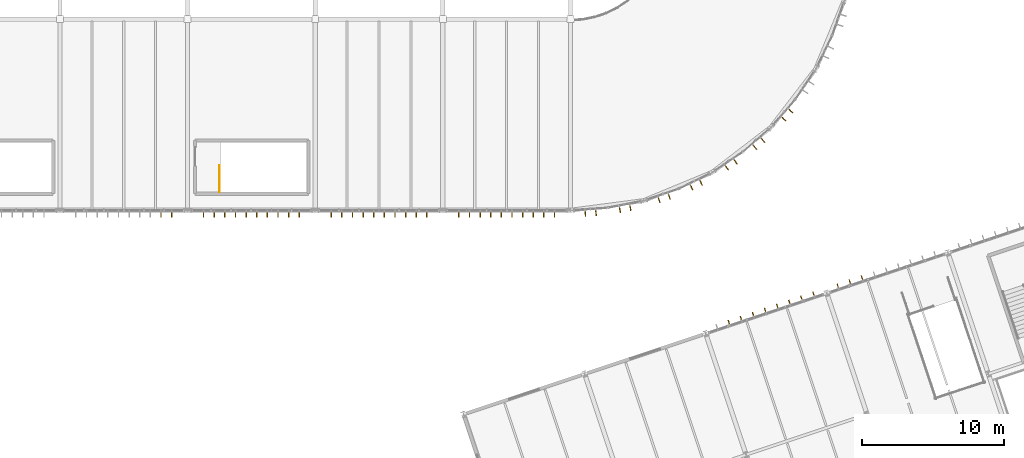
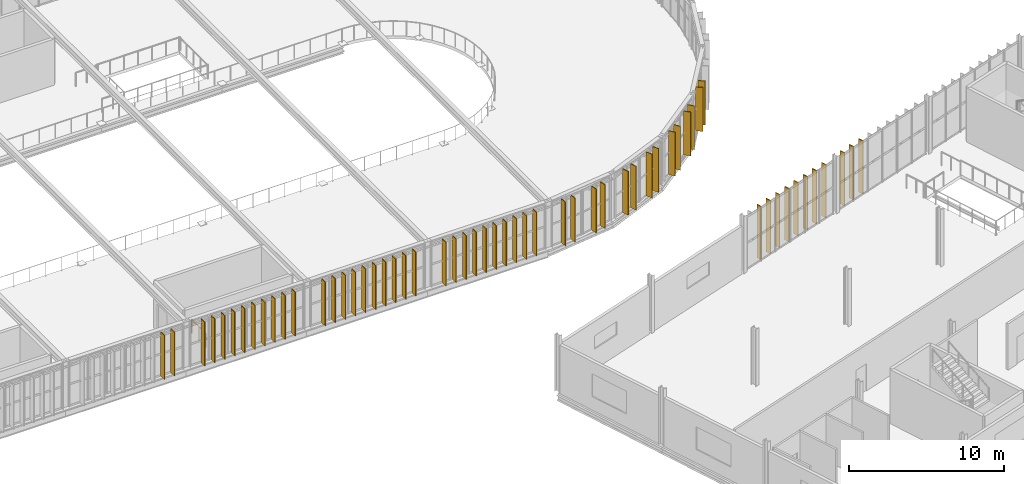
# One storey, part 144 of 152: 46 coverings, 11 shading devices, 1 railing.
"""IFC4 building model written with IfcOpenShell, lengths in metres."""

from ifc_helpers import new_model, si_unit, derived_unit, direction, frame, origin, origin_2d, place, context, subcontext, project, spatial, rectangle, circle, extrude, material, layer, layer_set, type_object, element, save


model = new_model("IFC4")

# Units and contexts
model_context = context("Model", 3, precision=1e-05, world=origin(), true_north=direction((0.0, 1.0)))
body_context = subcontext(model_context, "Body", "Model", "MODEL_VIEW")
ifc_project = project(units=[si_unit("LENGTHUNIT", "METRE"), si_unit("AREAUNIT", "SQUARE_METRE"), si_unit("VOLUMEUNIT", "CUBIC_METRE"), si_unit("PLANEANGLEUNIT", "RADIAN"), si_unit("MASSUNIT", "GRAM", prefix="KILO"), si_unit("THERMODYNAMICTEMPERATUREUNIT", "KELVIN"), si_unit("TIMEUNIT", "SECOND"), derived_unit("THERMALTRANSMITTANCEUNIT", [(si_unit("MASSUNIT", "GRAM", prefix="KILO"), 1), (si_unit("THERMODYNAMICTEMPERATUREUNIT", "KELVIN"), -1), (si_unit("TIMEUNIT", "SECOND"), -3)])], contexts=[model_context])

# Site, building, storey
site_placement = place(None, origin())
site = spatial("IfcSite", under=ifc_project, at=site_placement, CompositionType="ELEMENT")
building_placement = place(site_placement, origin())
building = spatial("IfcBuilding", under=site, at=building_placement, Name="Cambertide Market Hall", CompositionType="ELEMENT")
storey_placement = place(building_placement, frame((0.0, 0.0, 5.39990234375)))
storey = spatial("IfcBuildingStorey", under=building, at=storey_placement, Name="L02", CompositionType="ELEMENT", Elevation=5.39990234375)

# Railing
ifc_material_1 = material(Name="Stainless Steel Grade 316", Category="metal")
railing_type = type_object("IfcRailingType", Name="Stairwell Inner Guardrail 1100", PredefinedType="GUARDRAIL", material=ifc_material_1)
railing_placement = place(storey_placement, frame((80.25, 53.300048828125, 0.0)))
element("IfcRailing", 1, at=railing_placement, inside=storey, type_object=railing_type, Name="Level 2 ST-02B top well guard 1", PredefinedType="GUARDRAIL", context=body_context, shape_type="SweptSolid", body=[
    extrude(circle(Radius=0.02392578125, at=origin_2d()), frame((0.0, 0.0, 1.076171875), z_axis=(0.0, 1.0, 0.0), x_axis=(-1.0, 0.0, 0.0)), (0.0, 0.0, 1.0), 1.849853515625),
    extrude(circle(Radius=0.02099609375, at=origin_2d()), origin(), (0.0, 0.0, 1.0), 1.052001953125),
    extrude(circle(Radius=0.02099609375, at=origin_2d()), frame((0.0, 0.9248046875, 0.0)), (0.0, 0.0, 1.0), 1.052001953125),
    extrude(circle(Radius=0.02099609375, at=origin_2d()), frame((0.0, 1.849853515625, 0.0)), (0.0, 0.0, 1.0), 1.052001953125),
])

# Coverings
ifc_material_2 = material(Name="White Marine Anodized Aluminium 6063-T6 AA25", Category="aluminium")
ifc_layer_1 = layer(ifc_material_2, 0.06005859375, Name="White Anodized Lantern Vertical Fin 480x60")
ifc_layer_set_1 = layer_set([ifc_layer_1], Name="White Marine Anodized Aluminium 6063-T6 AA25")
covering_type = type_object("IfcCoveringType", Name="White Anodized Lantern Vertical Fin 480x60", PredefinedType="CLADDING", material=ifc_layer_set_1)
for number, where, z_axis, x_axis, name in (
    (2, (76.875, 51.739990234375, 0.0), (0.0, 0.0, 1.0), (-1.0, 0.0, 0.0), "CW-V1S-L02-4 Vertical Fin 1"),
    (3, (76.125, 51.739990234375, 0.0), (0.0, 0.0, 1.0), (-1.0, 0.0, 0.0), "CW-V1S-L02-4 Vertical Fin 2"),
    (4, (85.875, 51.739990234375, 0.0), (0.0, 0.0, 1.0), (-1.0, 0.0, 0.0), "CW-V1S-L02-5 Vertical Fin 1"),
    (5, (85.125, 51.739990234375, 0.0), (0.0, 0.0, 1.0), (-1.0, 0.0, 0.0), "CW-V1S-L02-5 Vertical Fin 2"),
    (6, (84.375, 51.739990234375, 0.0), (0.0, 0.0, 1.0), (-1.0, 0.0, 0.0), "CW-V1S-L02-5 Vertical Fin 3"),
    (7, (83.625, 51.739990234375, 0.0), (0.0, 0.0, 1.0), (-1.0, 0.0, 0.0), "CW-V1S-L02-5 Vertical Fin 4"),
    (8, (82.875, 51.739990234375, 0.0), (0.0, 0.0, 1.0), (-1.0, 0.0, 0.0), "CW-V1S-L02-5 Vertical Fin 5"),
    (9, (82.125, 51.739990234375, 0.0), (0.0, 0.0, 1.0), (-1.0, 0.0, 0.0), "CW-V1S-L02-5 Vertical Fin 6"),
    (10, (81.375, 51.739990234375, 0.0), (0.0, 0.0, 1.0), (-1.0, 0.0, 0.0), "CW-V1S-L02-5 Vertical Fin 7"),
    (11, (80.625, 51.739990234375, 0.0), (0.0, 0.0, 1.0), (-1.0, 0.0, 0.0), "CW-V1S-L02-5 Vertical Fin 8"),
    (12, (79.875, 51.739990234375, 0.0), (0.0, 0.0, 1.0), (-1.0, 0.0, 0.0), "CW-V1S-L02-5 Vertical Fin 9"),
    (13, (79.125, 51.739990234375, 0.0), (0.0, 0.0, 1.0), (-1.0, 0.0, 0.0), "CW-V1S-L02-5 Vertical Fin 10"),
    (14, (94.875, 51.739990234375, 0.0), (0.0, 0.0, 1.0), (-1.0, 0.0, 0.0), "CW-V1S-L02-6 Vertical Fin 1"),
    (15, (94.125, 51.739990234375, 0.0), (0.0, 0.0, 1.0), (-1.0, 0.0, 0.0), "CW-V1S-L02-6 Vertical Fin 2"),
    (16, (93.375, 51.739990234375, 0.0), (0.0, 0.0, 1.0), (-1.0, 0.0, 0.0), "CW-V1S-L02-6 Vertical Fin 3"),
    (17, (92.625, 51.739990234375, 0.0), (0.0, 0.0, 1.0), (-1.0, 0.0, 0.0), "CW-V1S-L02-6 Vertical Fin 4"),
    (18, (91.875, 51.739990234375, 0.0), (0.0, 0.0, 1.0), (-1.0, 0.0, 0.0), "CW-V1S-L02-6 Vertical Fin 5"),
    (19, (91.125, 51.739990234375, 0.0), (0.0, 0.0, 1.0), (-1.0, 0.0, 0.0), "CW-V1S-L02-6 Vertical Fin 6"),
    (20, (90.375, 51.739990234375, 0.0), (0.0, 0.0, 1.0), (-1.0, 0.0, 0.0), "CW-V1S-L02-6 Vertical Fin 7"),
    (21, (89.625, 51.739990234375, 0.0), (0.0, 0.0, 1.0), (-1.0, 0.0, 0.0), "CW-V1S-L02-6 Vertical Fin 8"),
    (22, (88.875, 51.739990234375, 0.0), (0.0, 0.0, 1.0), (-1.0, 0.0, 0.0), "CW-V1S-L02-6 Vertical Fin 9"),
    (23, (88.125, 51.739990234375, 0.0), (0.0, 0.0, 1.0), (-1.0, 0.0, 0.0), "CW-V1S-L02-6 Vertical Fin 10"),
    (24, (103.875, 51.739990234375, 0.0), (0.0, 0.0, 1.0), (-1.0, 0.0, 0.0), "CW-V1S-L02-7 Vertical Fin 1"),
    (25, (103.125, 51.739990234375, 0.0), (0.0, 0.0, 1.0), (-1.0, 0.0, 0.0), "CW-V1S-L02-7 Vertical Fin 2"),
    (26, (102.375, 51.739990234375, 0.0), (0.0, 0.0, 1.0), (-1.0, 0.0, 0.0), "CW-V1S-L02-7 Vertical Fin 3"),
    (27, (101.625, 51.739990234375, 0.0), (0.0, 0.0, 1.0), (-1.0, 0.0, 0.0), "CW-V1S-L02-7 Vertical Fin 4"),
    (28, (100.875, 51.739990234375, 0.0), (0.0, 0.0, 1.0), (-1.0, 0.0, 0.0), "CW-V1S-L02-7 Vertical Fin 5"),
    (29, (100.125, 51.739990234375, 0.0), (0.0, 0.0, 1.0), (-1.0, 0.0, 0.0), "CW-V1S-L02-7 Vertical Fin 6"),
    (30, (99.375, 51.739990234375, 0.0), (0.0, 0.0, 1.0), (-1.0, 0.0, 0.0), "CW-V1S-L02-7 Vertical Fin 7"),
    (31, (98.625, 51.739990234375, 0.0), (0.0, 0.0, 1.0), (-1.0, 0.0, 0.0), "CW-V1S-L02-7 Vertical Fin 8"),
    (32, (97.875, 51.739990234375, 0.0), (0.0, 0.0, 1.0), (-1.0, 0.0, 0.0), "CW-V1S-L02-7 Vertical Fin 9"),
    (33, (97.125, 51.739990234375, 0.0), (0.0, 0.0, 1.0), (-1.0, 0.0, 0.0), "CW-V1S-L02-7 Vertical Fin 10"),
    (34, (106.796142578125, 51.857177734375, 0.0), (0.0, 0.0, 1.0), (-0.997858917819, -0.065403211921, 0.0), "CW-V1AE-L02-01 Vertical Fin 1"),
    (35, (106.0478515625, 51.80810546875, 0.0), (0.0, 0.0, 1.0), (-0.997858917819, -0.065403211921, 0.0), "CW-V1AE-L02-01 Vertical Fin 2"),
    (36, (109.2138671875, 52.224853515625, 0.0), (0.0, 0.0, 1.0), (-0.980785330885, -0.195090068226, 0.0), "CW-V1AE-L02-02 Vertical Fin 1"),
    (37, (108.478271484375, 52.07861328125, 0.0), (0.0, 0.0, 1.0), (-0.980785330885, -0.195090068226, 0.0), "CW-V1AE-L02-02 Vertical Fin 2"),
    (38, (111.948486328125, 53.008544921875, 0.0), (0.0, 0.0, 1.0), (-0.94693012508, -0.32143947831, 0.0), "CW-V1AE-L02-03 Vertical Fin 1"),
    (39, (111.23828125, 52.767333984375, 0.0), (0.0, 0.0, 1.0), (-0.94693012508, -0.32143947831, 0.0), "CW-V1AE-L02-03 Vertical Fin 2"),
    (40, (114.1884765625, 53.989501953125, 0.0), (0.0, 0.0, 1.0), (-0.896872650645, -0.442288874522, 0.0), "CW-V1AE-L02-04 Vertical Fin 1"),
    (41, (113.515869140625, 53.65771484375, 0.0), (0.0, 0.0, 1.0), (-0.896872650645, -0.442288874522, 0.0), "CW-V1AE-L02-04 Vertical Fin 2"),
    (42, (116.626953125, 55.453857421875, 0.0), (0.0, 0.0, 1.0), (-0.831469709481, -0.555570087582, 0.0), "CW-V1AE-L02-05 Vertical Fin 1"),
    (43, (116.00341796875, 55.037353515625, 0.0), (0.0, 0.0, 1.0), (-0.831469709481, -0.555570087582, 0.0), "CW-V1AE-L02-05 Vertical Fin 2"),
    (44, (118.536865234375, 56.981201171875, 0.0), (0.0, 0.0, 1.0), (-0.751839834741, -0.659345784014, 0.0), "CW-V1AE-L02-06 Vertical Fin 1"),
    (45, (117.972900390625, 56.48681640625, 0.0), (0.0, 0.0, 1.0), (-0.751839834741, -0.659345784014, 0.0), "CW-V1AE-L02-06 Vertical Fin 2"),
    (46, (120.51318359375, 59.027099609375, 0.0), (0.0, 0.0, 1.0), (-0.659345784014, -0.751839834741, 0.0), "CW-V1AE-L02-07 Vertical Fin 1"),
    (47, (120.018798828125, 58.463134765625, 0.0), (0.0, 0.0, 1.0), (-0.659345784014, -0.751839834741, 0.0), "CW-V1AE-L02-07 Vertical Fin 2"),
):
    element("IfcCovering", number, at=place(storey_placement, frame(where, z_axis=z_axis, x_axis=x_axis)), inside=storey, type_object=covering_type, Name=name, PredefinedType="CLADDING", context=body_context, shape_type="SweptSolid", body=[
        extrude(rectangle(XDim=0.06005859375, YDim=0.47998046875, at=origin_2d()), origin(), (0.0, 0.0, 1.0), 3.449951171875),
    ])

# Shading devices
ifc_material_3 = material(Name="Champagne Marine Anodized Aluminium 6063-T6 AA25", Category="aluminium")
ifc_layer_2 = layer(ifc_material_3, 0.054931640625, Name="Wing Facade Vertical Sun Fin 380x55")
ifc_layer_set_2 = layer_set([ifc_layer_2], Name="Champagne Marine Anodized Aluminium 6063-T6 AA25")
shading_device_type = type_object("IfcShadingDeviceType", Name="Wing Facade Vertical Sun Fin 380x55", PredefinedType="JALOUSIE", material=ifc_layer_set_2)
for number, where, z_axis, x_axis, name in (
    (48, (116.179443359375, 44.074951171875, 0.0), (0.0, 0.0, 1.0), (0.948683274577, 0.316227836438, 0.0), "CW-V3N-L02-3 Vertical Fin 2"),
    (49, (117.033203125, 44.359619140625, 0.0), (0.0, 0.0, 1.0), (0.948683274577, 0.316227836438, 0.0), "CW-V3N-L02-3 Vertical Fin 3"),
    (50, (117.886962890625, 44.644287109375, 0.0), (0.0, 0.0, 1.0), (0.948683274577, 0.316227836438, 0.0), "CW-V3N-L02-3 Vertical Fin 4"),
    (51, (118.74072265625, 44.9287109375, 0.0), (0.0, 0.0, 1.0), (0.948683274577, 0.316227836438, 0.0), "CW-V3N-L02-3 Vertical Fin 5"),
    (52, (119.5947265625, 45.21337890625, 0.0), (0.0, 0.0, 1.0), (0.948683274577, 0.316227836438, 0.0), "CW-V3N-L02-3 Vertical Fin 6"),
    (53, (120.448486328125, 45.498046875, 0.0), (0.0, 0.0, 1.0), (0.948683274577, 0.316227836438, 0.0), "CW-V3N-L02-3 Vertical Fin 7"),
    (54, (121.30224609375, 45.78271484375, 0.0), (0.0, 0.0, 1.0), (0.948683274577, 0.316227836438, 0.0), "CW-V3N-L02-3 Vertical Fin 8"),
    (55, (122.156005859375, 46.067138671875, 0.0), (0.0, 0.0, 1.0), (0.948683274577, 0.316227836438, 0.0), "CW-V3N-L02-3 Vertical Fin 9"),
    (56, (123.86376953125, 46.636474609375, 0.0), (0.0, 0.0, 1.0), (0.948683286311, 0.316227801236, 0.0), "CW-V3N-L02-4 Vertical Fin 1"),
    (57, (124.717529296875, 46.921142578125, 0.0), (0.0, 0.0, 1.0), (0.948683286311, 0.316227801236, 0.0), "CW-V3N-L02-4 Vertical Fin 2"),
    (58, (125.5712890625, 47.20556640625, 0.0), (0.0, 0.0, 1.0), (0.948683286311, 0.316227801236, 0.0), "CW-V3N-L02-4 Vertical Fin 3"),
):
    element("IfcShadingDevice", number, at=place(storey_placement, frame(where, z_axis=z_axis, x_axis=x_axis)), inside=storey, type_object=shading_device_type, Name=name, PredefinedType="JALOUSIE", context=body_context, shape_type="SweptSolid", body=[
        extrude(rectangle(XDim=0.054931640625, YDim=0.3798828125, at=origin_2d()), origin(), (0.0, 0.0, 1.0), 4.199951171875),
    ])

save(model, "model.ifc")
